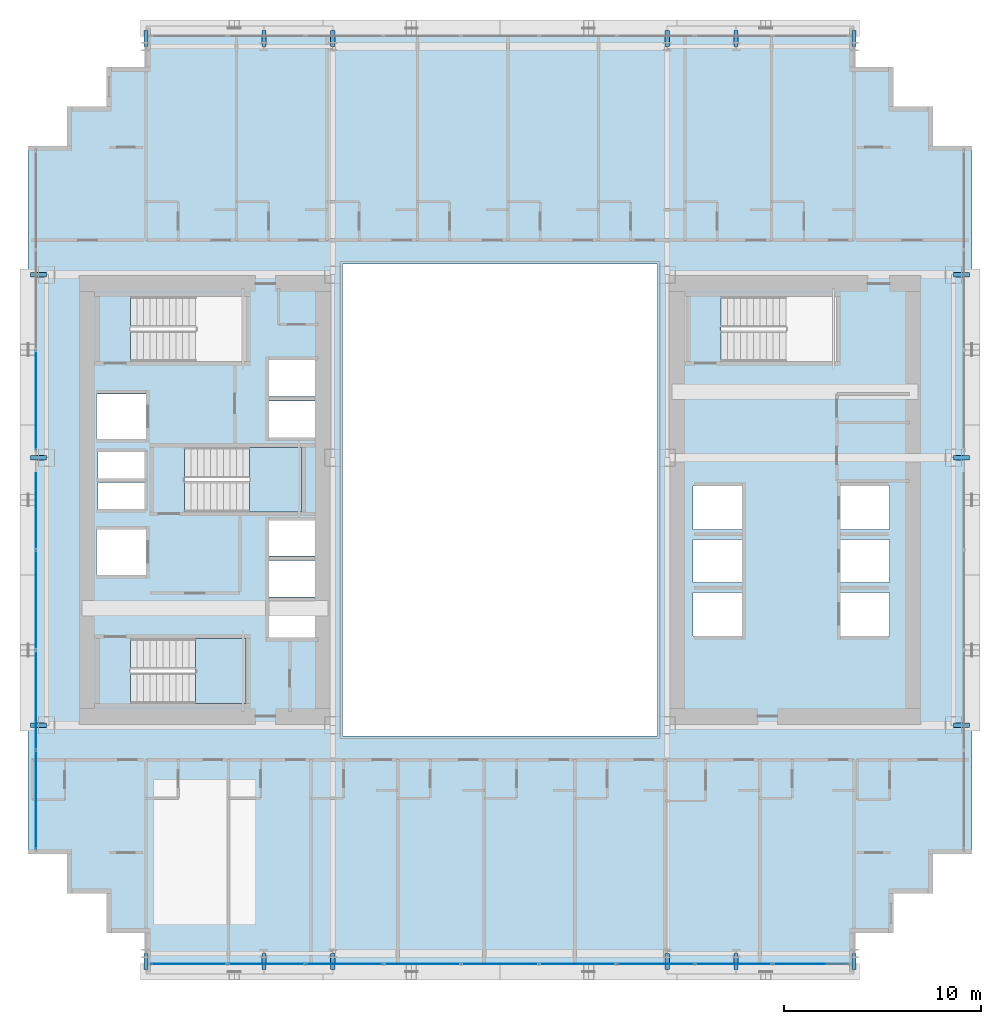
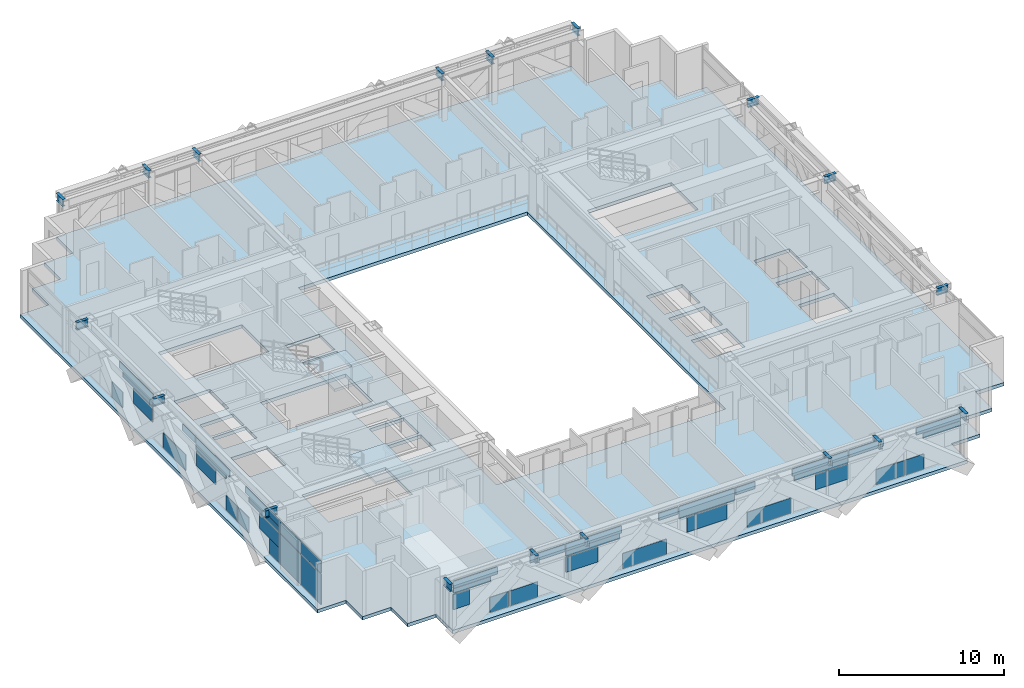
# One storey, part 23 of 36: 40 plates, 18 beams, 3 slabs, 4 elements without a shape of their own.
"""IFC4 building model written with IfcOpenShell, lengths in metres."""

from ifc_helpers import new_model, si_unit, direction, frame, origin, origin_2d, place, context, subcontext, project, spatial, polyline, rectangle, i_section, outline, extrude, source, transform, mapped, material, layer, layer_set, material_profile, profile_set, type_object, element, aggregate, save


model = new_model("IFC4")

# Units and contexts
model_context = context("Model", 3, precision=1e-05, world=origin(), true_north=direction((0.0, 1.0)))
body_context = subcontext(model_context, "Body", "Model", "MODEL_VIEW")
ifc_project = project(units=[si_unit("LENGTHUNIT", "METRE"), si_unit("AREAUNIT", "SQUARE_METRE"), si_unit("VOLUMEUNIT", "CUBIC_METRE"), si_unit("PLANEANGLEUNIT", "RADIAN"), si_unit("MASSUNIT", "GRAM", prefix="KILO")], contexts=[model_context])

# Site, building, storey
site_placement = place(None, origin())
site = spatial("IfcSite", under=ifc_project, at=site_placement, CompositionType="ELEMENT")
building_placement = place(site_placement, origin())
building = spatial("IfcBuilding", under=site, at=building_placement, Name="Ocotamira Hotel", CompositionType="ELEMENT")
storey_placement = place(building_placement, frame((0.0, 0.0, 42.0)))
storey = spatial("IfcBuildingStorey", under=building, at=storey_placement, Name="L09", CompositionType="ELEMENT", Elevation=42.0)

# Beams
ifc_material_1 = material(Name="Steel ASTM A992 Grade 50", Category="steel")
ifc_material_profile = material_profile(ifc_material_1, i_section(OverallWidth=0.2099609375, OverallDepth=0.537109375, WebThickness=0.010986328125, FlangeThickness=0.017333984375, FilletRadius=0.012939453125, at=origin_2d()), Name="W21X68")
ifc_profile_set = profile_set([ifc_material_profile], Name="Steel ASTM A992 Grade 50")
beam_type = type_object("IfcBeamType", Name="BM-SEC-W21X68", PredefinedType="JOIST", material=ifc_profile_set)
shared_shape_1 = source(origin(), body_context, "Body", "SweptSolid", [
    extrude(i_section(OverallWidth=0.2099609375, OverallDepth=0.537109375, WebThickness=0.010986328125, FlangeThickness=0.017333984375, FilletRadius=0.012939453125, at=origin_2d()), origin(), (0.0, 0.0, 1.0), 0.800048828125),
])
for number, where, z_axis, x_axis, name in (
    (1, (14.0, 2.949951171875, 3.08154296875), (0.0, -1.0, 0.0), (1.0, 0.0, 0.0), "L09 South Edge Header X14"),
    (2, (14.0, 49.050048828125, 3.08154296875), (0.0, 1.0, 0.0), (-1.0, 0.0, 0.0), "L09 North Edge Header X14"),
    (3, (20.0, 2.949951171875, 3.08154296875), (0.0, -1.0, 0.0), (1.0, 0.0, 0.0), "L09 South Edge Header X20"),
    (4, (20.0, 49.050048828125, 3.08154296875), (0.0, 1.0, 0.0), (-1.0, 0.0, 0.0), "L09 North Edge Header X20"),
    (5, (23.5, 2.949951171875, 3.08154296875), (0.0, -1.0, 0.0), (1.0, 0.0, 0.0), "L09 South Edge Header X23.5"),
    (6, (23.5, 49.050048828125, 3.08154296875), (0.0, 1.0, 0.0), (-1.0, 0.0, 0.0), "L09 North Edge Header X23.5"),
    (7, (40.5, 2.949951171875, 3.08154296875), (0.0, -1.0, 0.0), (1.0, 0.0, 0.0), "L09 South Edge Header X40.5"),
    (8, (40.5, 49.050048828125, 3.08154296875), (0.0, 1.0, 0.0), (-1.0, 0.0, 0.0), "L09 North Edge Header X40.5"),
    (9, (44.0, 2.949951171875, 3.08154296875), (0.0, -1.0, 0.0), (1.0, 0.0, 0.0), "L09 South Edge Header X44"),
    (10, (44.0, 49.050048828125, 3.08154296875), (0.0, 1.0, 0.0), (-1.0, 0.0, 0.0), "L09 North Edge Header X44"),
    (11, (50.0, 2.949951171875, 3.08154296875), (0.0, -1.0, 0.0), (1.0, 0.0, 0.0), "L09 South Edge Header X50"),
    (12, (50.0, 49.050048828125, 3.08154296875), (0.0, 1.0, 0.0), (-1.0, 0.0, 0.0), "L09 North Edge Header X50"),
    (13, (8.949951171875, 14.550048828125, 3.08154296875), (-1.0, 0.0, 0.0), (0.0, -1.0, 0.0), "L09 West Edge Header Y14.55"),
    (14, (55.050048828125, 14.550048828125, 3.08154296875), (1.0, 0.0, 0.0), (0.0, 1.0, 0.0), "L09 East Edge Header Y14.55"),
    (15, (8.949951171875, 28.14990234375, 3.08154296875), (-1.0, 0.0, 0.0), (0.0, -1.0, 0.0), "L09 West Edge Header Y28.15"),
    (16, (55.050048828125, 28.14990234375, 3.08154296875), (1.0, 0.0, 0.0), (0.0, 1.0, 0.0), "L09 East Edge Header Y28.15"),
    (17, (8.949951171875, 37.449951171875, 3.08154296875), (-1.0, 0.0, 0.0), (0.0, -1.0, 0.0), "L09 West Edge Header Y37.45"),
    (18, (55.050048828125, 37.449951171875, 3.08154296875), (1.0, 0.0, 0.0), (0.0, 1.0, 0.0), "L09 East Edge Header Y37.45"),
):
    element("IfcBeam", number, at=place(storey_placement, frame(where, z_axis=z_axis, x_axis=x_axis)), inside=storey, type_object=beam_type, Name=name, PredefinedType="JOIST", context=body_context, shape_type="MappedRepresentation", body=[
        mapped(shared_shape_1, transform((0.0, 0.0, 0.0), scale=1.0)),
    ])

# Stair, slab
ifc_material_2 = material(Name="Concrete C40/50", Category="concrete")
stair_type = type_object("IfcStairType", Name="ST-CORE-1560", PredefinedType="HALF_TURN_STAIR", material=ifc_material_2)
stair_1_placement = place(storey_placement, origin())
stair_1 = element("IfcStair", 19, at=stair_1_placement, inside=storey, type_object=stair_type, Name="L09 Exit Stair ST-1", PredefinedType="HALF_TURN_STAIR")
ifc_layer_1 = layer(ifc_material_2, 0.199951171875)
ifc_layer_set_1 = layer_set([ifc_layer_1], Name="Concrete C40/50")
slab_type_1 = type_object("IfcSlabType", Name="SLB-LAND-200", PredefinedType="LANDING", material=ifc_layer_set_1)
slab_1_placement = place(storey_placement, frame((0.0, 0.0, 1.60009765625)))
slab_1 = element("IfcSlab", 20, at=slab_1_placement, type_object=slab_type_1, Name="ST-1 landing 1", PredefinedType="LANDING", context=body_context, shape_type="SweptSolid", body=[
    extrude(outline(polyline([(16.530029296875, 15.669921875), (19.090087890625, 15.669921875), (19.090087890625, 18.949951171875), (16.530029296875, 18.949951171875), (16.530029296875, 15.669921875)])), origin(), (0.0, 0.0, 1.0), 0.199951171875),
])
aggregate(stair_1, [slab_1])

stair_2_placement = place(storey_placement, origin())
stair_2 = element("IfcStair", 21, at=stair_2_placement, inside=storey, type_object=stair_type, Name="L09 Exit Stair ST-3", PredefinedType="HALF_TURN_STAIR")
slab_2_placement = place(storey_placement, frame((0.0, 0.0, 1.60009765625)))
slab_2 = element("IfcSlab", 22, at=slab_2_placement, type_object=slab_type_1, Name="ST-3 landing 1", PredefinedType="LANDING", context=body_context, shape_type="SweptSolid", body=[
    extrude(outline(polyline([(19.260009765625, 25.39990234375), (21.919921875, 25.39990234375), (21.919921875, 28.679931640625), (19.260009765625, 28.679931640625), (19.260009765625, 25.39990234375)])), origin(), (0.0, 0.0, 1.0), 0.199951171875),
])
aggregate(stair_2, [slab_2])

# Slab
ifc_layer_2 = layer(ifc_material_2, 0.25)
ifc_layer_set_2 = layer_set([ifc_layer_2], Name="Concrete C40/50")
slab_type_2 = type_object("IfcSlabType", Name="SLB-Z1-250", PredefinedType="FLOOR", material=ifc_layer_set_2)
slab_3_placement = place(storey_placement, frame((0.0, 0.0, -0.25)))
element("IfcSlab", 23, at=slab_3_placement, inside=storey, type_object=slab_type_2, Name="L09 Structural Floor Slab", PredefinedType="FLOOR", context=body_context, shape_type="SweptSolid", body=[
    extrude(outline(polyline([(14.0, 2.0), (50.0, 2.0), (50.0, 4.0), (52.0, 4.0), (52.0, 6.0), (54.0, 6.0), (54.0, 8.0), (56.0, 8.0), (56.0, 44.0), (54.0, 44.0), (54.0, 46.0), (52.0, 46.0), (52.0, 48.0), (50.0, 48.0), (50.0, 50.0), (14.0, 50.0), (14.0, 48.0), (12.0, 48.0), (12.0, 46.0), (10.0, 46.0), (10.0, 44.0), (8.0, 44.0), (8.0, 8.0), (10.0, 8.0), (10.0, 6.0), (12.0, 6.0), (12.0, 4.0), (14.0, 4.0), (14.0, 2.0)]), holes=[polyline([(24.0, 14.0), (40.0, 14.0), (40.0, 38.0), (24.0, 38.0), (24.0, 14.0)]), polyline([(13.22998046875, 15.669921875), (19.090087890625, 15.669921875), (19.090087890625, 18.949951171875), (13.22998046875, 18.949951171875), (13.22998046875, 15.669921875)]), polyline([(13.22998046875, 33.050048828125), (19.090087890625, 33.050048828125), (19.090087890625, 36.330078125), (13.22998046875, 36.330078125), (13.22998046875, 33.050048828125)]), polyline([(15.9599609375, 25.39990234375), (21.919921875, 25.39990234375), (21.919921875, 28.679931640625), (15.9599609375, 28.679931640625), (15.9599609375, 25.39990234375)]), polyline([(43.22998046875, 33.050048828125), (49.090087890625, 33.050048828125), (49.090087890625, 36.330078125), (43.22998046875, 36.330078125), (43.22998046875, 33.050048828125)]), polyline([(49.300048828125, 19.10009765625), (51.800048828125, 19.10009765625), (51.800048828125, 21.300048828125), (49.300048828125, 21.300048828125), (49.300048828125, 19.10009765625)]), polyline([(49.300048828125, 21.800048828125), (51.800048828125, 21.800048828125), (51.800048828125, 24.0), (49.300048828125, 24.0), (49.300048828125, 21.800048828125)]), polyline([(49.300048828125, 24.5), (51.800048828125, 24.5), (51.800048828125, 26.699951171875), (49.300048828125, 26.699951171875), (49.300048828125, 24.5)]), polyline([(41.800048828125, 19.10009765625), (44.300048828125, 19.10009765625), (44.300048828125, 21.300048828125), (41.800048828125, 21.300048828125), (41.800048828125, 19.10009765625)]), polyline([(41.800048828125, 21.800048828125), (44.300048828125, 21.800048828125), (44.300048828125, 24.0), (41.800048828125, 24.0), (41.800048828125, 21.800048828125)]), polyline([(41.800048828125, 24.5), (44.300048828125, 24.5), (44.300048828125, 26.699951171875), (41.800048828125, 26.699951171875), (41.800048828125, 24.5)]), polyline([(20.25, 19.0), (22.659912109375, 19.0), (22.659912109375, 20.85009765625), (20.25, 20.85009765625), (20.25, 19.0)]), polyline([(20.25, 21.080078125), (22.659912109375, 21.080078125), (22.659912109375, 22.929931640625), (20.25, 22.929931640625), (20.25, 21.080078125)]), polyline([(20.25, 23.159912109375), (22.659912109375, 23.159912109375), (22.659912109375, 24.9599609375), (20.25, 24.9599609375), (20.25, 23.159912109375)]), polyline([(20.25, 29.179931640625), (22.659912109375, 29.179931640625), (22.659912109375, 31.030029296875), (20.25, 31.030029296875), (20.25, 29.179931640625)]), polyline([(20.25, 31.260009765625), (22.659912109375, 31.260009765625), (22.659912109375, 33.110107421875), (20.25, 33.110107421875), (20.25, 31.260009765625)]), polyline([(11.5, 22.199951171875), (14.0, 22.199951171875), (14.0, 24.5), (11.5, 24.5), (11.5, 22.199951171875)]), polyline([(11.5, 29.10009765625), (14.0, 29.10009765625), (14.0, 31.39990234375), (11.5, 31.39990234375), (11.5, 29.10009765625)]), polyline([(11.580078125, 25.550048828125), (13.919921875, 25.550048828125), (13.919921875, 26.89990234375), (11.580078125, 26.89990234375), (11.580078125, 25.550048828125)]), polyline([(11.580078125, 27.10009765625), (13.919921875, 27.10009765625), (13.919921875, 28.449951171875), (11.580078125, 28.449951171875), (11.580078125, 27.10009765625)])]), origin(), (0.0, 0.0, 1.0), 0.25),
])

# Curtain wall, plates
ifc_material_3 = material(Name="Anodised pale-metal aluminium and solar glass", Category="aluminium")
ifc_layer_3 = layer(ifc_material_3, 0.179931640625)
ifc_layer_set_3 = layer_set([ifc_layer_3], Name="Anodised pale-metal aluminium and solar glass")
curtain_wall_type = type_object("IfcCurtainWallType", Name="CW-SYS2-Z1", PredefinedType="NOTDEFINED", material=ifc_layer_set_3)
curtain_wall_1_placement = place(storey_placement, origin())
curtain_wall_1 = element("IfcCurtainWall", 24, at=curtain_wall_1_placement, inside=storey, type_object=curtain_wall_type, Name="L09 Curtain Wall CW-2 CW-L09-S1", PredefinedType="NOTDEFINED")
ifc_material_4 = material(Name="Double-silver low-E insulated solar glass", Category="glass")
ifc_layer_4 = layer(ifc_material_4, 0.031982421875)
ifc_layer_set_4 = layer_set([ifc_layer_4], Name="Double-silver low-E insulated solar glass")
plate_type = type_object("IfcPlateType", Name="CWP-VISION-32", PredefinedType="CURTAIN_PANEL", material=ifc_layer_set_4)
shared_shape_2 = source(origin(), body_context, "Body", "SweptSolid", [
    extrude(rectangle(XDim=1.11669921875, YDim=0.031982421875, at=origin_2d()), origin(), (0.0, 0.0, 1.0), 1.11865234375),
])
plate_1_placement = place(storey_placement, frame((14.83837890625, 2.419921875, 1.19384765625), z_axis=(0.0, 0.0, 1.0), x_axis=(1.0, 0.0, 0.0)))
plate_1 = element("IfcPlate", 25, at=plate_1_placement, type_object=plate_type, Name="CW-2 panel 1.1.1", PredefinedType="CURTAIN_PANEL", context=body_context, shape_type="MappedRepresentation", body=[
    mapped(shared_shape_2, transform((0.0, 0.0, 0.0), scale=1.0)),
])
shared_shape_3 = source(origin(), body_context, "Body", "SweptSolid", [
    extrude(rectangle(XDim=1.278076171875, YDim=0.031982421875, at=origin_2d()), origin(), (0.0, 0.0, 1.0), 1.11865234375),
])
plate_2_placement = place(storey_placement, frame((17.4765625, 2.419921875, 0.0751953125), z_axis=(0.0, 0.0, 1.0), x_axis=(1.0, 0.0, 0.0)))
plate_2 = element("IfcPlate", 26, at=plate_2_placement, type_object=plate_type, Name="CW-2 panel 1.1.2", PredefinedType="CURTAIN_PANEL", context=body_context, shape_type="MappedRepresentation", body=[
    mapped(shared_shape_3, transform((0.0, 0.0, 0.0), scale=1.0)),
])
plate_3_placement = place(storey_placement, frame((46.5234375, 2.419921875, 0.0751953125), z_axis=(0.0, 0.0, 1.0), x_axis=(1.0, 0.0, 0.0)))
plate_3 = element("IfcPlate", 27, at=plate_3_placement, type_object=plate_type, Name="CW-2 panel 9.1.1", PredefinedType="CURTAIN_PANEL", context=body_context, shape_type="MappedRepresentation", body=[
    mapped(shared_shape_3, transform((0.0, 0.0, 0.0), scale=1.0)),
])
shared_shape_4 = source(origin(), body_context, "Body", "SweptSolid", [
    extrude(rectangle(XDim=2.60888671875, YDim=0.031982421875, at=origin_2d()), origin(), (0.0, 0.0, 1.0), 0.345458984375),
])
plate_4_placement = place(storey_placement, frame((15.58447265625, 2.419921875, 2.3876953125), z_axis=(0.0, 0.0, 1.0), x_axis=(1.0, 0.0, 0.0)))
plate_4 = element("IfcPlate", 28, at=plate_4_placement, type_object=plate_type, Name="CW-2 panel 1.2.1", PredefinedType="CURTAIN_PANEL", context=body_context, shape_type="MappedRepresentation", body=[
    mapped(shared_shape_4, transform((0.0, 0.0, 0.0), scale=1.0)),
])
plate_5_placement = place(storey_placement, frame((48.41552734375, 2.419921875, 2.3876953125), z_axis=(0.0, 0.0, 1.0), x_axis=(1.0, 0.0, 0.0)))
plate_5 = element("IfcPlate", 29, at=plate_5_placement, type_object=plate_type, Name="CW-2 panel 9.2.2", PredefinedType="CURTAIN_PANEL", context=body_context, shape_type="MappedRepresentation", body=[
    mapped(shared_shape_4, transform((0.0, 0.0, 0.0), scale=1.0)),
])
shared_shape_5 = source(origin(), body_context, "Body", "SweptSolid", [
    extrude(rectangle(XDim=3.079833984375, YDim=0.031982421875, at=origin_2d()), origin(), (0.0, 0.0, 1.0), 0.5107421875),
])
plate_6_placement = place(storey_placement, frame((15.820068359375, 2.419921875, 2.76416015625), z_axis=(0.0, 0.0, 1.0), x_axis=(1.0, 0.0, 0.0)))
plate_6 = element("IfcPlate", 30, at=plate_6_placement, type_object=plate_type, Name="CW-2 panel 1.2.2", PredefinedType="CURTAIN_PANEL", context=body_context, shape_type="MappedRepresentation", body=[
    mapped(shared_shape_5, transform((0.0, 0.0, 0.0), scale=1.0)),
])
plate_7_placement = place(storey_placement, frame((48.179931640625, 2.419921875, 2.76416015625), z_axis=(0.0, 0.0, 1.0), x_axis=(1.0, 0.0, 0.0)))
plate_7 = element("IfcPlate", 31, at=plate_7_placement, type_object=plate_type, Name="CW-2 panel 9.2.1", PredefinedType="CURTAIN_PANEL", context=body_context, shape_type="MappedRepresentation", body=[
    mapped(shared_shape_5, transform((0.0, 0.0, 0.0), scale=1.0)),
])
shared_shape_6 = source(origin(), body_context, "Body", "SweptSolid", [
    extrude(rectangle(XDim=1.966796875, YDim=0.031982421875, at=origin_2d()), origin(), (0.0, 0.0, 1.0), 1.11865234375),
])
plate_8_placement = place(storey_placement, frame((19.178955078125, 2.419921875, 0.0751953125), z_axis=(0.0, 0.0, 1.0), x_axis=(1.0, 0.0, 0.0)))
plate_8 = element("IfcPlate", 32, at=plate_8_placement, type_object=plate_type, Name="CW-2 panel 2.1.1", PredefinedType="CURTAIN_PANEL", context=body_context, shape_type="MappedRepresentation", body=[
    mapped(shared_shape_6, transform((0.0, 0.0, 0.0), scale=1.0)),
])
plate_9_placement = place(storey_placement, frame((44.821044921875, 2.419921875, 0.0751953125), z_axis=(0.0, 0.0, 1.0), x_axis=(1.0, 0.0, 0.0)))
plate_9 = element("IfcPlate", 33, at=plate_9_placement, type_object=plate_type, Name="CW-2 panel 8.1.1", PredefinedType="CURTAIN_PANEL", context=body_context, shape_type="MappedRepresentation", body=[
    mapped(shared_shape_6, transform((0.0, 0.0, 0.0), scale=1.0)),
])
shared_shape_7 = source(origin(), body_context, "Body", "SweptSolid", [
    extrude(rectangle(XDim=2.430908203125, YDim=0.031982421875, at=origin_2d()), origin(), (0.0, 0.0, 1.0), 0.5107421875),
])
plate_10_placement = place(storey_placement, frame((20.855712890625, 2.419921875, 2.76416015625), z_axis=(0.0, 0.0, 1.0), x_axis=(1.0, 0.0, 0.0)))
plate_10 = element("IfcPlate", 34, at=plate_10_placement, type_object=plate_type, Name="CW-2 panel 2.2.1", PredefinedType="CURTAIN_PANEL", context=body_context, shape_type="MappedRepresentation", body=[
    mapped(shared_shape_7, transform((0.0, 0.0, 0.0), scale=1.0)),
])
plate_11_placement = place(storey_placement, frame((43.144287109375, 2.419921875, 2.76416015625), z_axis=(0.0, 0.0, 1.0), x_axis=(1.0, 0.0, 0.0)))
plate_11 = element("IfcPlate", 35, at=plate_11_placement, type_object=plate_type, Name="CW-2 panel 8.2.1", PredefinedType="CURTAIN_PANEL", context=body_context, shape_type="MappedRepresentation", body=[
    mapped(shared_shape_7, transform((0.0, 0.0, 0.0), scale=1.0)),
])
shared_shape_8 = source(origin(), body_context, "Body", "SweptSolid", [
    extrude(rectangle(XDim=2.24560546875, YDim=0.031982421875, at=origin_2d()), origin(), (0.0, 0.0, 1.0), 1.11865234375),
])
plate_12_placement = place(storey_placement, frame((23.27392578125, 2.419921875, 1.19384765625), z_axis=(0.0, 0.0, 1.0), x_axis=(1.0, 0.0, 0.0)))
plate_12 = element("IfcPlate", 36, at=plate_12_placement, type_object=plate_type, Name="CW-2 panel 3.1.1", PredefinedType="CURTAIN_PANEL", context=body_context, shape_type="MappedRepresentation", body=[
    mapped(shared_shape_8, transform((0.0, 0.0, 0.0), scale=1.0)),
])
plate_13_placement = place(storey_placement, frame((40.72607421875, 2.419921875, 1.19384765625), z_axis=(0.0, 0.0, 1.0), x_axis=(1.0, 0.0, 0.0)))
plate_13 = element("IfcPlate", 37, at=plate_13_placement, type_object=plate_type, Name="CW-2 panel 7.1.1", PredefinedType="CURTAIN_PANEL", context=body_context, shape_type="MappedRepresentation", body=[
    mapped(shared_shape_8, transform((0.0, 0.0, 0.0), scale=1.0)),
])
shared_shape_9 = source(origin(), body_context, "Body", "SweptSolid", [
    extrude(rectangle(XDim=3.73779296875, YDim=0.031982421875, at=origin_2d()), origin(), (0.0, 0.0, 1.0), 0.376708984375),
])
plate_14_placement = place(storey_placement, frame((24.02001953125, 2.419921875, 2.3876953125), z_axis=(0.0, 0.0, 1.0), x_axis=(1.0, 0.0, 0.0)))
plate_14 = element("IfcPlate", 38, at=plate_14_placement, type_object=plate_type, Name="CW-2 panel 3.2.1", PredefinedType="CURTAIN_PANEL", context=body_context, shape_type="MappedRepresentation", body=[
    mapped(shared_shape_9, transform((0.0, 0.0, 0.0), scale=1.0)),
])
plate_15_placement = place(storey_placement, frame((39.97998046875, 2.419921875, 2.3876953125), z_axis=(0.0, 0.0, 1.0), x_axis=(1.0, 0.0, 0.0)))
plate_15 = element("IfcPlate", 39, at=plate_15_placement, type_object=plate_type, Name="CW-2 panel 7.2.2", PredefinedType="CURTAIN_PANEL", context=body_context, shape_type="MappedRepresentation", body=[
    mapped(shared_shape_9, transform((0.0, 0.0, 0.0), scale=1.0)),
])
shared_shape_10 = source(origin(), body_context, "Body", "SweptSolid", [
    extrude(rectangle(XDim=3.87548828125, YDim=0.031982421875, at=origin_2d()), origin(), (0.0, 0.0, 1.0), 0.5107421875),
])
plate_16_placement = place(storey_placement, frame((24.0888671875, 2.419921875, 2.76416015625), z_axis=(0.0, 0.0, 1.0), x_axis=(1.0, 0.0, 0.0)))
plate_16 = element("IfcPlate", 40, at=plate_16_placement, type_object=plate_type, Name="CW-2 panel 3.2.2", PredefinedType="CURTAIN_PANEL", context=body_context, shape_type="MappedRepresentation", body=[
    mapped(shared_shape_10, transform((0.0, 0.0, 0.0), scale=1.0)),
])
plate_17_placement = place(storey_placement, frame((39.9111328125, 2.419921875, 2.76416015625), z_axis=(0.0, 0.0, 1.0), x_axis=(1.0, 0.0, 0.0)))
plate_17 = element("IfcPlate", 41, at=plate_17_placement, type_object=plate_type, Name="CW-2 panel 7.2.1", PredefinedType="CURTAIN_PANEL", context=body_context, shape_type="MappedRepresentation", body=[
    mapped(shared_shape_10, transform((0.0, 0.0, 0.0), scale=1.0)),
])
shared_shape_11 = source(origin(), body_context, "Body", "SweptSolid", [
    extrude(rectangle(XDim=3.055908203125, YDim=0.031982421875, at=origin_2d()), origin(), (0.0, 0.0, 1.0), 1.11865234375),
])
plate_18_placement = place(storey_placement, frame((27.634521484375, 2.419921875, 0.0751953125), z_axis=(0.0, 0.0, 1.0), x_axis=(1.0, 0.0, 0.0)))
plate_18 = element("IfcPlate", 42, at=plate_18_placement, type_object=plate_type, Name="CW-2 panel 4.1.1", PredefinedType="CURTAIN_PANEL", context=body_context, shape_type="MappedRepresentation", body=[
    mapped(shared_shape_11, transform((0.0, 0.0, 0.0), scale=1.0)),
])
plate_19_placement = place(storey_placement, frame((36.365478515625, 2.419921875, 0.0751953125), z_axis=(0.0, 0.0, 1.0), x_axis=(1.0, 0.0, 0.0)))
plate_19 = element("IfcPlate", 43, at=plate_19_placement, type_object=plate_type, Name="CW-2 panel 6.1.1", PredefinedType="CURTAIN_PANEL", context=body_context, shape_type="MappedRepresentation", body=[
    mapped(shared_shape_11, transform((0.0, 0.0, 0.0), scale=1.0)),
])
shared_shape_12 = source(origin(), body_context, "Body", "SweptSolid", [
    extrude(rectangle(XDim=1.34228515625, YDim=0.031982421875, at=origin_2d()), origin(), (0.0, 0.0, 1.0), 0.5107421875),
])
plate_20_placement = place(storey_placement, frame((29.31103515625, 2.419921875, 2.76416015625), z_axis=(0.0, 0.0, 1.0), x_axis=(1.0, 0.0, 0.0)))
plate_20 = element("IfcPlate", 44, at=plate_20_placement, type_object=plate_type, Name="CW-2 panel 4.2.1", PredefinedType="CURTAIN_PANEL", context=body_context, shape_type="MappedRepresentation", body=[
    mapped(shared_shape_12, transform((0.0, 0.0, 0.0), scale=1.0)),
])
plate_21_placement = place(storey_placement, frame((34.68896484375, 2.419921875, 2.76416015625), z_axis=(0.0, 0.0, 1.0), x_axis=(1.0, 0.0, 0.0)))
plate_21 = element("IfcPlate", 45, at=plate_21_placement, type_object=plate_type, Name="CW-2 panel 6.2.1", PredefinedType="CURTAIN_PANEL", context=body_context, shape_type="MappedRepresentation", body=[
    mapped(shared_shape_12, transform((0.0, 0.0, 0.0), scale=1.0)),
])
shared_shape_13 = source(origin(), body_context, "Body", "SweptSolid", [
    extrude(rectangle(XDim=2.793701171875, YDim=0.031982421875, at=origin_2d()), origin(), (0.0, 0.0, 1.0), 1.11865234375),
])
plate_22_placement = place(storey_placement, frame((32.0, 2.419921875, 1.19384765625), z_axis=(0.0, 0.0, 1.0), x_axis=(1.0, 0.0, 0.0)))
plate_22 = element("IfcPlate", 46, at=plate_22_placement, type_object=plate_type, Name="CW-2 panel 5.1.1", PredefinedType="CURTAIN_PANEL", context=body_context, shape_type="MappedRepresentation", body=[
    mapped(shared_shape_13, transform((0.0, 0.0, 0.0), scale=1.0)),
])
shared_shape_14 = source(origin(), body_context, "Body", "SweptSolid", [
    extrude(rectangle(XDim=3.87548828125, YDim=0.031982421875, at=origin_2d()), origin(), (0.0, 0.0, 1.0), 0.887451171875),
])
plate_23_placement = place(storey_placement, frame((32.0, 2.419921875, 2.3876953125), z_axis=(0.0, 0.0, 1.0), x_axis=(1.0, 0.0, 0.0)))
plate_23 = element("IfcPlate", 47, at=plate_23_placement, type_object=plate_type, Name="CW-2 panel 5.2", PredefinedType="CURTAIN_PANEL", context=body_context, shape_type="MappedRepresentation", body=[
    mapped(shared_shape_14, transform((0.0, 0.0, 0.0), scale=1.0)),
])
aggregate(curtain_wall_1, [plate_1, plate_2, plate_4, plate_6, plate_8, plate_10, plate_12, plate_14, plate_16, plate_18, plate_20, plate_22, plate_23, plate_19, plate_21, plate_13, plate_17, plate_15, plate_9, plate_11, plate_3, plate_7, plate_5])

curtain_wall_2_placement = place(storey_placement, origin())
curtain_wall_2 = element("IfcCurtainWall", 48, at=curtain_wall_2_placement, inside=storey, type_object=curtain_wall_type, Name="L09 Curtain Wall CW-2 CW-L09-W", PredefinedType="NOTDEFINED")
shared_shape_15 = source(origin(), body_context, "Body", "SweptSolid", [
    extrude(rectangle(XDim=4.9658203125, YDim=0.031982421875, at=origin_2d()), origin(), (0.0, 0.0, 1.0), 2.237548828125),
])
plate_24_placement = place(storey_placement, frame((8.419921875, 10.762939453125, 0.0751953125), z_axis=(0.0, 0.0, 1.0), x_axis=(0.0, 1.0, 0.0)))
plate_24 = element("IfcPlate", 49, at=plate_24_placement, type_object=plate_type, Name="CW-2 panel 1.1", PredefinedType="CURTAIN_PANEL", context=body_context, shape_type="MappedRepresentation", body=[
    mapped(shared_shape_15, transform((0.0, 0.0, 0.0), scale=1.0)),
])
shared_shape_16 = source(origin(), body_context, "Body", "SweptSolid", [
    extrude(rectangle(XDim=4.9658203125, YDim=0.031982421875, at=origin_2d()), origin(), (0.0, 0.0, 1.0), 0.887451171875),
])
plate_25_placement = place(storey_placement, frame((8.419921875, 10.762939453125, 2.3876953125), z_axis=(0.0, 0.0, 1.0), x_axis=(0.0, 1.0, 0.0)))
plate_25 = element("IfcPlate", 50, at=plate_25_placement, type_object=plate_type, Name="CW-2 panel 1.2", PredefinedType="CURTAIN_PANEL", context=body_context, shape_type="MappedRepresentation", body=[
    mapped(shared_shape_16, transform((0.0, 0.0, 0.0), scale=1.0)),
])
shared_shape_17 = source(origin(), body_context, "Body", "SweptSolid", [
    extrude(rectangle(XDim=1.177978515625, YDim=0.031982421875, at=origin_2d()), origin(), (0.0, 0.0, 1.0), 1.11865234375),
])
plate_26_placement = place(storey_placement, frame((8.419921875, 13.914794921875, 0.0751953125), z_axis=(0.0, 0.0, 1.0), x_axis=(0.0, 1.0, 0.0)))
plate_26 = element("IfcPlate", 51, at=plate_26_placement, type_object=plate_type, Name="CW-2 panel 2.1.1", PredefinedType="CURTAIN_PANEL", context=body_context, shape_type="MappedRepresentation", body=[
    mapped(shared_shape_17, transform((0.0, 0.0, 0.0), scale=1.0)),
])
shared_shape_18 = source(origin(), body_context, "Body", "SweptSolid", [
    extrude(rectangle(XDim=2.364013671875, YDim=0.031982421875, at=origin_2d()), origin(), (0.0, 0.0, 1.0), 1.11865234375),
])
plate_27_placement = place(storey_placement, frame((8.419921875, 14.5078125, 1.19384765625), z_axis=(0.0, 0.0, 1.0), x_axis=(0.0, 1.0, 0.0)))
plate_27 = element("IfcPlate", 52, at=plate_27_placement, type_object=plate_type, Name="CW-2 panel 2.1.2", PredefinedType="CURTAIN_PANEL", context=body_context, shape_type="MappedRepresentation", body=[
    mapped(shared_shape_18, transform((0.0, 0.0, 0.0), scale=1.0)),
])
shared_shape_19 = source(origin(), body_context, "Body", "SweptSolid", [
    extrude(rectangle(XDim=1.330078125, YDim=0.031982421875, at=origin_2d()), origin(), (0.0, 0.0, 1.0), 1.11865234375),
])
plate_28_placement = place(storey_placement, frame((8.419921875, 17.66650390625, 0.0751953125), z_axis=(0.0, 0.0, 1.0), x_axis=(0.0, 1.0, 0.0)))
plate_28 = element("IfcPlate", 53, at=plate_28_placement, type_object=plate_type, Name="CW-2 panel 2.1.3", PredefinedType="CURTAIN_PANEL", context=body_context, shape_type="MappedRepresentation", body=[
    mapped(shared_shape_19, transform((0.0, 0.0, 0.0), scale=1.0)),
])
shared_shape_20 = source(origin(), body_context, "Body", "SweptSolid", [
    extrude(rectangle(XDim=3.629638671875, YDim=0.031982421875, at=origin_2d()), origin(), (0.0, 0.0, 1.0), 0.367919921875),
])
plate_29_placement = place(storey_placement, frame((8.419921875, 15.140625, 2.3876953125), z_axis=(0.0, 0.0, 1.0), x_axis=(0.0, 1.0, 0.0)))
plate_29 = element("IfcPlate", 54, at=plate_29_placement, type_object=plate_type, Name="CW-2 panel 2.2.1", PredefinedType="CURTAIN_PANEL", context=body_context, shape_type="MappedRepresentation", body=[
    mapped(shared_shape_20, transform((0.0, 0.0, 0.0), scale=1.0)),
])
shared_shape_21 = source(origin(), body_context, "Body", "SweptSolid", [
    extrude(rectangle(XDim=4.05615234375, YDim=0.031982421875, at=origin_2d()), origin(), (0.0, 0.0, 1.0), 0.485107421875),
])
plate_30_placement = place(storey_placement, frame((8.419921875, 15.353759765625, 2.7900390625), z_axis=(0.0, 0.0, 1.0), x_axis=(0.0, 1.0, 0.0)))
plate_30 = element("IfcPlate", 55, at=plate_30_placement, type_object=plate_type, Name="CW-2 panel 2.2.2", PredefinedType="CURTAIN_PANEL", context=body_context, shape_type="MappedRepresentation", body=[
    mapped(shared_shape_21, transform((0.0, 0.0, 0.0), scale=1.0)),
])
shared_shape_22 = source(origin(), body_context, "Body", "SweptSolid", [
    extrude(rectangle(XDim=1.3203125, YDim=0.031982421875, at=origin_2d()), origin(), (0.0, 0.0, 1.0), 1.11865234375),
])
plate_31_placement = place(storey_placement, frame((8.419921875, 19.071533203125, 0.0751953125), z_axis=(0.0, 0.0, 1.0), x_axis=(0.0, 1.0, 0.0)))
plate_31 = element("IfcPlate", 56, at=plate_31_placement, type_object=plate_type, Name="CW-2 panel 3.1.1", PredefinedType="CURTAIN_PANEL", context=body_context, shape_type="MappedRepresentation", body=[
    mapped(shared_shape_22, transform((0.0, 0.0, 0.0), scale=1.0)),
])
plate_32_placement = place(storey_placement, frame((8.419921875, 32.928466796875, 0.0751953125), z_axis=(0.0, 0.0, 1.0), x_axis=(0.0, 1.0, 0.0)))
plate_32 = element("IfcPlate", 57, at=plate_32_placement, type_object=plate_type, Name="CW-2 panel 5.1.2", PredefinedType="CURTAIN_PANEL", context=body_context, shape_type="MappedRepresentation", body=[
    mapped(shared_shape_22, transform((0.0, 0.0, 0.0), scale=1.0)),
])
shared_shape_23 = source(origin(), body_context, "Body", "SweptSolid", [
    extrude(rectangle(XDim=2.27978515625, YDim=0.031982421875, at=origin_2d()), origin(), (0.0, 0.0, 1.0), 1.11865234375),
])
plate_33_placement = place(storey_placement, frame((8.419921875, 22.183349609375, 1.19384765625), z_axis=(0.0, 0.0, 1.0), x_axis=(0.0, 1.0, 0.0)))
plate_33 = element("IfcPlate", 58, at=plate_33_placement, type_object=plate_type, Name="CW-2 panel 3.1.2", PredefinedType="CURTAIN_PANEL", context=body_context, shape_type="MappedRepresentation", body=[
    mapped(shared_shape_23, transform((0.0, 0.0, 0.0), scale=1.0)),
])
plate_34_placement = place(storey_placement, frame((8.419921875, 29.816650390625, 1.19384765625), z_axis=(0.0, 0.0, 1.0), x_axis=(0.0, 1.0, 0.0)))
plate_34 = element("IfcPlate", 59, at=plate_34_placement, type_object=plate_type, Name="CW-2 panel 5.1.1", PredefinedType="CURTAIN_PANEL", context=body_context, shape_type="MappedRepresentation", body=[
    mapped(shared_shape_23, transform((0.0, 0.0, 0.0), scale=1.0)),
])
shared_shape_24 = source(origin(), body_context, "Body", "SweptSolid", [
    extrude(rectangle(XDim=4.06591796875, YDim=0.031982421875, at=origin_2d()), origin(), (0.0, 0.0, 1.0), 0.485107421875),
])
plate_35_placement = place(storey_placement, frame((8.419921875, 21.38427734375, 2.7900390625), z_axis=(0.0, 0.0, 1.0), x_axis=(0.0, 1.0, 0.0)))
plate_35 = element("IfcPlate", 60, at=plate_35_placement, type_object=plate_type, Name="CW-2 panel 3.2.1", PredefinedType="CURTAIN_PANEL", context=body_context, shape_type="MappedRepresentation", body=[
    mapped(shared_shape_24, transform((0.0, 0.0, 0.0), scale=1.0)),
])
plate_36_placement = place(storey_placement, frame((8.419921875, 30.61572265625, 2.7900390625), z_axis=(0.0, 0.0, 1.0), x_axis=(0.0, 1.0, 0.0)))
plate_36 = element("IfcPlate", 61, at=plate_36_placement, type_object=plate_type, Name="CW-2 panel 5.2.2", PredefinedType="CURTAIN_PANEL", context=body_context, shape_type="MappedRepresentation", body=[
    mapped(shared_shape_24, transform((0.0, 0.0, 0.0), scale=1.0)),
])
shared_shape_25 = source(origin(), body_context, "Body", "SweptSolid", [
    extrude(rectangle(XDim=3.639404296875, YDim=0.031982421875, at=origin_2d()), origin(), (0.0, 0.0, 1.0), 0.367919921875),
])
plate_37_placement = place(storey_placement, frame((8.419921875, 21.597412109375, 2.3876953125), z_axis=(0.0, 0.0, 1.0), x_axis=(0.0, 1.0, 0.0)))
plate_37 = element("IfcPlate", 62, at=plate_37_placement, type_object=plate_type, Name="CW-2 panel 3.2.2", PredefinedType="CURTAIN_PANEL", context=body_context, shape_type="MappedRepresentation", body=[
    mapped(shared_shape_25, transform((0.0, 0.0, 0.0), scale=1.0)),
])
plate_38_placement = place(storey_placement, frame((8.419921875, 30.402587890625, 2.3876953125), z_axis=(0.0, 0.0, 1.0), x_axis=(0.0, 1.0, 0.0)))
plate_38 = element("IfcPlate", 63, at=plate_38_placement, type_object=plate_type, Name="CW-2 panel 5.2.1", PredefinedType="CURTAIN_PANEL", context=body_context, shape_type="MappedRepresentation", body=[
    mapped(shared_shape_25, transform((0.0, 0.0, 0.0), scale=1.0)),
])
shared_shape_26 = source(origin(), body_context, "Body", "SweptSolid", [
    extrude(rectangle(XDim=2.730224609375, YDim=0.031982421875, at=origin_2d()), origin(), (0.0, 0.0, 1.0), 1.11865234375),
])
plate_39_placement = place(storey_placement, frame((8.419921875, 26.0, 0.0751953125), z_axis=(0.0, 0.0, 1.0), x_axis=(0.0, 1.0, 0.0)))
plate_39 = element("IfcPlate", 64, at=plate_39_placement, type_object=plate_type, Name="CW-2 panel 4.1.1", PredefinedType="CURTAIN_PANEL", context=body_context, shape_type="MappedRepresentation", body=[
    mapped(shared_shape_26, transform((0.0, 0.0, 0.0), scale=1.0)),
])
shared_shape_27 = source(origin(), body_context, "Body", "SweptSolid", [
    extrude(rectangle(XDim=1.518310546875, YDim=0.031982421875, at=origin_2d()), origin(), (0.0, 0.0, 1.0), 0.485107421875),
])
plate_40_placement = place(storey_placement, frame((8.419921875, 24.256103515625, 2.7900390625), z_axis=(0.0, 0.0, 1.0), x_axis=(0.0, 1.0, 0.0)))
plate_40 = element("IfcPlate", 65, at=plate_40_placement, type_object=plate_type, Name="CW-2 panel 4.2.1", PredefinedType="CURTAIN_PANEL", context=body_context, shape_type="MappedRepresentation", body=[
    mapped(shared_shape_27, transform((0.0, 0.0, 0.0), scale=1.0)),
])
aggregate(curtain_wall_2, [plate_24, plate_25, plate_26, plate_27, plate_28, plate_29, plate_30, plate_31, plate_33, plate_35, plate_37, plate_39, plate_40, plate_34, plate_32, plate_38, plate_36])

save(model, "model.ifc")
